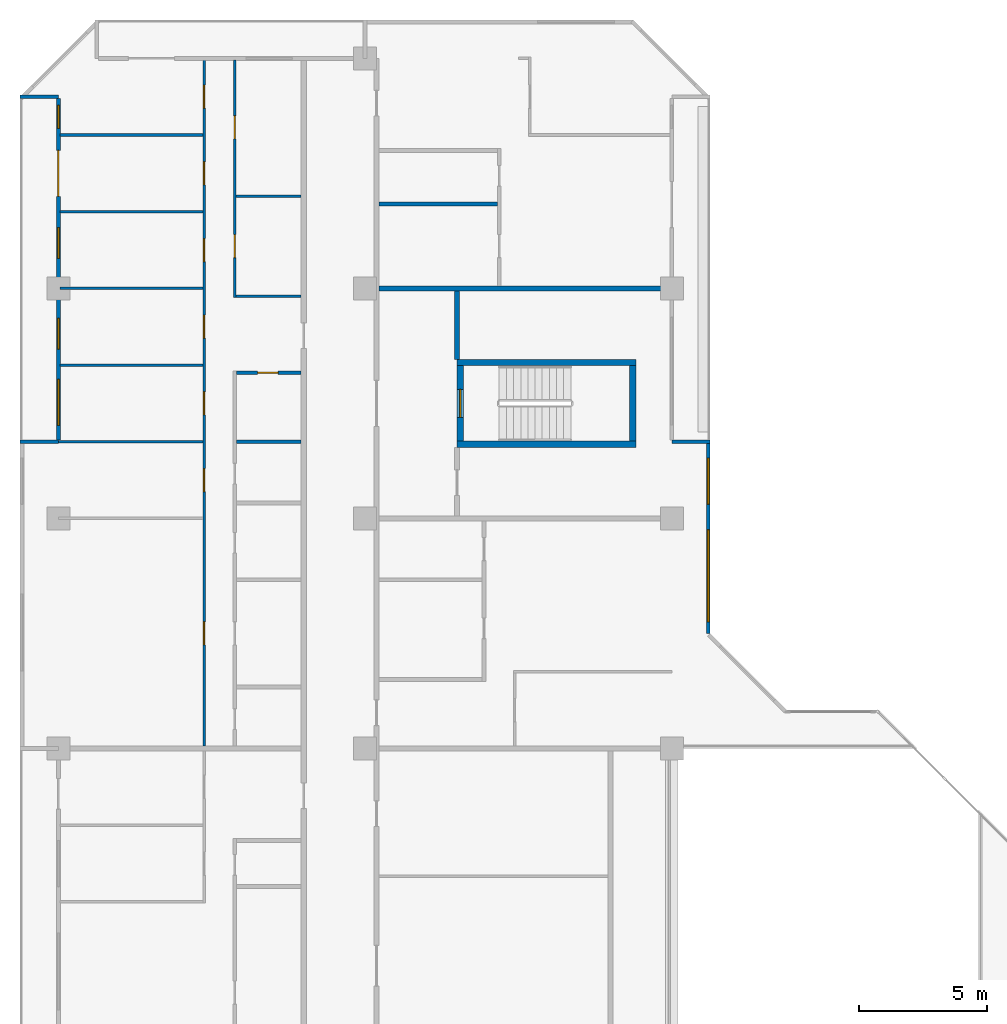
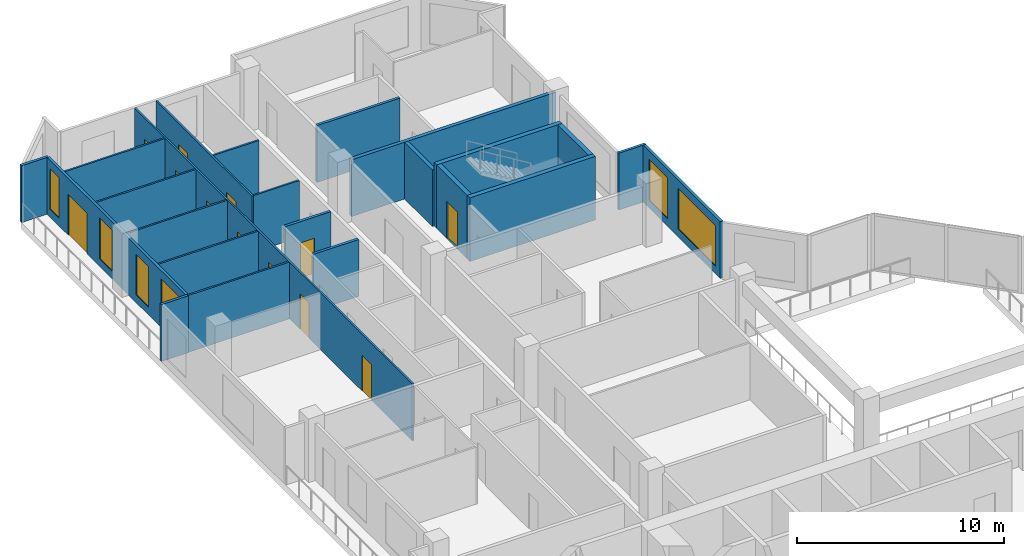
# One storey, part 10 of 15: 23 walls, 12 doors, 6 windows, 18 openings.
"""IFC4 building model written with IfcOpenShell, lengths in metres."""

from ifc_helpers import new_model, si_unit, direction, frame, frame_2d, origin, place, context, subcontext, project, spatial, rectangle, extrude, material, layer, layer_set, type_object, element, fill, save


model = new_model("IFC4")

# Units and contexts
model_context = context("Model", 3, precision=1e-05, world=origin(), true_north=direction((0.0, 1.0)))
body_context = subcontext(model_context, "Body", "Model", "MODEL_VIEW")
ifc_project = project(units=[si_unit("LENGTHUNIT", "METRE"), si_unit("AREAUNIT", "SQUARE_METRE"), si_unit("VOLUMEUNIT", "CUBIC_METRE"), si_unit("PLANEANGLEUNIT", "RADIAN"), si_unit("MASSUNIT", "GRAM", prefix="KILO")], contexts=[model_context])

# Site, building, storey
site_placement = place(None, origin())
site = spatial("IfcSite", under=ifc_project, at=site_placement, CompositionType="ELEMENT")
building_placement = place(site_placement, origin())
building = spatial("IfcBuilding", under=site, at=building_placement, Name="Chenar Terraces", CompositionType="ELEMENT")
storey_placement = place(building_placement, frame((0.0, 0.0, 191.14990234375)))
storey = spatial("IfcBuildingStorey", under=building, at=storey_placement, Name="L44", CompositionType="ELEMENT", Elevation=191.14990234375)

# Walls
ifc_material_1 = material(Name="Concrete C60/75", Category="concrete")
ifc_layer_1 = layer(ifc_material_1, 0.25)
ifc_layer_set_1 = layer_set([ifc_layer_1], Name="Concrete C60/75")
wall_type_1 = type_object("IfcWallType", Name="Core wall 250 Concrete C60/75", PredefinedType="SHEAR", material=ifc_layer_set_1)
for number, where, z_axis, x_axis, name in (
    (1, (15.60009765625, 47.89990234375, 0.0), (0.0, 0.0, 1.0), (1.0, 0.0, 0.0), "Core wall ST4_S L44"),
    (2, (15.60009765625, 51.10009765625, 0.0), (0.0, 0.0, 1.0), (1.0, 0.0, 0.0), "Core wall ST4_N L44"),
):
    element("IfcWall", number, at=place(storey_placement, frame(where, z_axis=z_axis, x_axis=x_axis)), inside=storey, type_object=wall_type_1, Name=name, PredefinedType="SHEAR", context=body_context, shape_type="SweptSolid", body=[
        extrude(rectangle(XDim=7.0, YDim=0.25, at=frame_2d((3.5, 0.0))), origin(), (0.0, 0.0, 1.0), 3.75),
    ])

# Wall, opening, door
wall_1_placement = place(storey_placement, frame((15.72509765625, 48.02490234375, 0.0), z_axis=(0.0, 0.0, 1.0), x_axis=(0.0, 1.0, 0.0)))
wall_1 = element("IfcWall", 3, at=wall_1_placement, inside=storey, type_object=wall_type_1, Name="Core wall ST4_W L44", PredefinedType="SHEAR", context=body_context, shape_type="SweptSolid", body=[
    extrude(rectangle(XDim=2.9501953125, YDim=0.25, at=frame_2d((1.47509765625, 0.0))), origin(), (0.0, 0.0, 1.0), 3.75),
])
opening_1_placement = place(wall_1_placement, frame((0.925048828125, 0.0, 0.0)))
opening_1 = element("IfcOpeningElement", 4, at=opening_1_placement, cuts=wall_1, Name="Opening DL44-C9", PredefinedType="OPENING", context=body_context, shape_type="SweptSolid", body=[
    extrude(rectangle(XDim=1.10009765625, YDim=2.199951171875, at=frame_2d((0.550048828125, 1.10009765625))), frame((0.0, 0.135009765625, 0.0), z_axis=(0.0, -1.0, 0.0), x_axis=(1.0, 0.0, 0.0)), (0.0, 0.0, 1.0), 0.27001953125),
])
ifc_material_2 = material(Name="Steel-framed fire-resisting door leaf", Category="steel")
door_type_1 = type_object("IfcDoorType", Name="Stair fire door FD60 1100 x 2200", OperationType="SINGLE_SWING_LEFT", PredefinedType="DOOR", material=ifc_material_2)
door_1_placement = place(opening_1_placement, frame((1.10009765625, 0.0, 0.0), z_axis=(0.0, 0.0, 1.0), x_axis=(-1.0, 0.0, 0.0)))
door_1 = element("IfcDoor", 5, at=door_1_placement, inside=storey, type_object=door_type_1, Name="Stair door DL44-C9", OperationType="SINGLE_SWING_RIGHT", OverallHeight=2.199951171875, OverallWidth=1.10009765625, PredefinedType="DOOR", context=body_context, shape_type="SweptSolid", body=[
    extrude(rectangle(XDim=1.10009765625, YDim=2.199951171875, at=frame_2d((0.550048828125, 1.10009765625))), frame((0.0, 0.02490234375, 0.0), z_axis=(0.0, -1.0, 0.0), x_axis=(1.0, 0.0, 0.0)), (0.0, 0.0, 1.0), 0.050048828125),
])
fill(opening_1, door_1)

# Walls
wall_2_placement = place(storey_placement, frame((22.47509765625, 48.02490234375, 0.0), z_axis=(0.0, 0.0, 1.0), x_axis=(0.0, 1.0, 0.0)))
element("IfcWall", 6, at=wall_2_placement, inside=storey, type_object=wall_type_1, Name="Core wall ST4_E L44", PredefinedType="SHEAR", context=body_context, shape_type="SweptSolid", body=[
    extrude(rectangle(XDim=2.9501953125, YDim=0.25, at=frame_2d((1.47509765625, 0.0))), origin(), (0.0, 0.0, 1.0), 3.75),
])
ifc_material_3 = material(Name="Gypsum board on steel studs with fire boards", Category="steel")
ifc_layer_2 = layer(ifc_material_3, 0.199951171875)
ifc_layer_set_2 = layer_set([ifc_layer_2], Name="Gypsum board on steel studs with fire boards")
wall_type_2 = type_object("IfcWallType", Name="Corridor wall 200", PredefinedType="PARTITIONING", material=ifc_layer_set_2)
wall_3_placement = place(storey_placement, frame((15.60009765625, 51.22509765625, 0.0), z_axis=(0.0, 0.0, 1.0), x_axis=(0.0, 1.0, 0.0)))
element("IfcWall", 7, at=wall_3_placement, inside=storey, type_object=wall_type_2, Name="Partition L44-045", PredefinedType="PARTITIONING", context=body_context, shape_type="SweptSolid", body=[
    extrude(rectangle(XDim=2.6748046875, YDim=0.199951171875, at=frame_2d((1.33740234375, 0.0))), origin(), (0.0, 0.0, 1.0), 3.35009765625),
])

# Wall, openings, windows
ifc_material_4 = material(Name="Aluminium framed glazing", Category="aluminium")
ifc_layer_3 = layer(ifc_material_4, 0.14990234375)
ifc_layer_set_3 = layer_set([ifc_layer_3], Name="Aluminium framed glazing")
wall_type_3 = type_object("IfcWallType", Name="Glazed flush facade wall 150", PredefinedType="SOLIDWALL", material=ifc_layer_set_3)
wall_4_placement = place(storey_placement, frame((25.425048828125, 40.5, 0.0), z_axis=(0.0, 0.0, 1.0), x_axis=(0.0, 1.0, 0.0)))
wall_4 = element("IfcWall", 8, at=wall_4_placement, inside=storey, type_object=wall_type_3, Name="Glazed flush facade wall", PredefinedType="SOLIDWALL", context=body_context, shape_type="SweptSolid", body=[
    extrude(rectangle(XDim=7.425048828125, YDim=0.14990234375, at=frame_2d((3.71240234375, 0.0))), origin(), (0.0, 0.0, 1.0), 3.35009765625),
])
opening_2_placement = place(wall_4_placement, frame((0.449951171875, 0.0, 0.449951171875)))
opening_2 = element("IfcOpeningElement", 9, at=opening_2_placement, cuts=wall_4, Name="Opening W360x240", PredefinedType="OPENING", context=body_context, shape_type="SweptSolid", body=[
    extrude(rectangle(XDim=3.60009765625, YDim=2.39990234375, at=frame_2d((1.800048828125, 1.199951171875))), frame((0.0, 0.0849609375, 0.0), z_axis=(0.0, -1.0, 0.0), x_axis=(1.0, 0.0, 0.0)), (0.0, 0.0, 1.0), 0.169921875),
])
opening_3_placement = place(wall_4_placement, frame((5.0625, 0.0, 0.449951171875)))
opening_3 = element("IfcOpeningElement", 10, at=opening_3_placement, cuts=wall_4, Name="Opening W180x240", PredefinedType="OPENING", context=body_context, shape_type="SweptSolid", body=[
    extrude(rectangle(XDim=1.800048828125, YDim=2.39990234375, at=frame_2d((0.89990234375, 1.199951171875))), frame((0.0, 0.0849609375, 0.0), z_axis=(0.0, -1.0, 0.0), x_axis=(1.0, 0.0, 0.0)), (0.0, 0.0, 1.0), 0.169921875),
])
ifc_material_5 = material(Name="Low emissivity double glazing, aluminium frame", Category="aluminium")
window_type_1 = type_object("IfcWindowType", Name="Fixed light 1800 x 2400", PartitioningType="SINGLE_PANEL", PredefinedType="WINDOW", material=ifc_material_5)
window_1_placement = place(opening_3_placement, origin())
window_1 = element("IfcWindow", 11, at=window_1_placement, inside=storey, type_object=window_type_1, Name="Window", OverallHeight=2.39990234375, OverallWidth=1.800048828125, PartitioningType="SINGLE_PANEL", PredefinedType="WINDOW", context=body_context, shape_type="SweptSolid", body=[
    extrude(rectangle(XDim=1.800048828125, YDim=2.39990234375, at=frame_2d((0.89990234375, 1.199951171875))), frame((0.0, 0.030029296875, 0.0), z_axis=(0.0, -1.0, 0.0), x_axis=(1.0, 0.0, 0.0)), (0.0, 0.0, 1.0), 0.06005859375),
])
fill(opening_3, window_1)
ifc_material_6 = material(Name="Low emissivity double glazing, aluminium frame", Category="aluminium")
window_type_2 = type_object("IfcWindowType", Name="Fixed light 3600 x 2400", PartitioningType="SINGLE_PANEL", PredefinedType="WINDOW", material=ifc_material_6)
window_2_placement = place(opening_2_placement, origin())
window_2 = element("IfcWindow", 12, at=window_2_placement, inside=storey, type_object=window_type_2, Name="Window", OverallHeight=2.39990234375, OverallWidth=3.60009765625, PartitioningType="SINGLE_PANEL", PredefinedType="WINDOW", context=body_context, shape_type="SweptSolid", body=[
    extrude(rectangle(XDim=3.60009765625, YDim=2.39990234375, at=frame_2d((1.800048828125, 1.199951171875))), frame((0.0, 0.030029296875, 0.0), z_axis=(0.0, -1.0, 0.0), x_axis=(1.0, 0.0, 0.0)), (0.0, 0.0, 1.0), 0.06005859375),
])
fill(opening_2, window_2)

# Wall, openings, windows, door
ifc_material_7 = material(Name="Aluminium framed glazing", Category="aluminium")
ifc_layer_4 = layer(ifc_material_7, 0.14990234375)
ifc_layer_set_4 = layer_set([ifc_layer_4], Name="Aluminium framed glazing")
wall_type_4 = type_object("IfcWallType", Name="Glazed loggia back wall 150", PredefinedType="SOLIDWALL", material=ifc_layer_set_4)
wall_5_placement = place(storey_placement, frame((0.0, 61.425048828125, 0.0), z_axis=(0.0, 0.0, 1.0), x_axis=(0.0, -1.0, 0.0)))
wall_5 = element("IfcWall", 13, at=wall_5_placement, inside=storey, type_object=wall_type_4, Name="Glazed loggia back wall", PredefinedType="SOLIDWALL", context=body_context, shape_type="SweptSolid", body=[
    extrude(rectangle(XDim=13.35009765625, YDim=0.14990234375, at=frame_2d((6.675048828125, 0.0))), origin(), (0.0, 0.0, 1.0), 3.35009765625),
])
opening_4_placement = place(wall_5_placement, frame((0.262451171875, 0.0, 0.449951171875)))
opening_4 = element("IfcOpeningElement", 14, at=opening_4_placement, cuts=wall_5, Name="Opening W90x240", PredefinedType="OPENING", context=body_context, shape_type="SweptSolid", body=[
    extrude(rectangle(XDim=0.89990234375, YDim=2.39990234375, at=frame_2d((0.449951171875, 1.199951171875))), frame((0.0, 0.0849609375, 0.0), z_axis=(0.0, -1.0, 0.0), x_axis=(1.0, 0.0, 0.0)), (0.0, 0.0, 1.0), 0.169921875),
])
opening_5_placement = place(wall_5_placement, frame((2.02490234375, 0.0, 0.0)))
opening_5 = element("IfcOpeningElement", 15, at=opening_5_placement, cuts=wall_5, Name="Opening DL44-G4", PredefinedType="OPENING", context=body_context, shape_type="SweptSolid", body=[
    extrude(rectangle(XDim=1.800048828125, YDim=2.39990234375, at=frame_2d((0.89990234375, 1.199951171875))), frame((0.0, 0.0849609375, 0.0), z_axis=(0.0, -1.0, 0.0), x_axis=(1.0, 0.0, 0.0)), (0.0, 0.0, 1.0), 0.169921875),
])
opening_6_placement = place(wall_5_placement, frame((5.050048828125, 0.0, 0.449951171875)))
opening_6 = element("IfcOpeningElement", 16, at=opening_6_placement, cuts=wall_5, Name="Opening W120x240", PredefinedType="OPENING", context=body_context, shape_type="SweptSolid", body=[
    extrude(rectangle(XDim=1.199951171875, YDim=2.39990234375, at=frame_2d((0.60009765625, 1.199951171875))), frame((0.0, 0.0849609375, 0.0), z_axis=(0.0, -1.0, 0.0), x_axis=(1.0, 0.0, 0.0)), (0.0, 0.0, 1.0), 0.169921875),
])
opening_7_placement = place(wall_5_placement, frame((8.60009765625, 0.0, 0.449951171875)))
opening_7 = element("IfcOpeningElement", 17, at=opening_7_placement, cuts=wall_5, Name="Opening W120x240", PredefinedType="OPENING", context=body_context, shape_type="SweptSolid", body=[
    extrude(rectangle(XDim=1.199951171875, YDim=2.39990234375, at=frame_2d((0.60009765625, 1.199951171875))), frame((0.0, 0.0849609375, 0.0), z_axis=(0.0, -1.0, 0.0), x_axis=(1.0, 0.0, 0.0)), (0.0, 0.0, 1.0), 0.169921875),
])
opening_8_placement = place(wall_5_placement, frame((10.987548828125, 0.0, 0.449951171875)))
opening_8 = element("IfcOpeningElement", 18, at=opening_8_placement, cuts=wall_5, Name="Opening W180x240", PredefinedType="OPENING", context=body_context, shape_type="SweptSolid", body=[
    extrude(rectangle(XDim=1.800048828125, YDim=2.39990234375, at=frame_2d((0.89990234375, 1.199951171875))), frame((0.0, 0.0849609375, 0.0), z_axis=(0.0, -1.0, 0.0), x_axis=(1.0, 0.0, 0.0)), (0.0, 0.0, 1.0), 0.169921875),
])
ifc_material_8 = material(Name="Low emissivity double glazing, aluminium frame", Category="aluminium")
window_type_3 = type_object("IfcWindowType", Name="Fixed light 1200 x 2400", PartitioningType="SINGLE_PANEL", PredefinedType="WINDOW", material=ifc_material_8)
window_3_placement = place(opening_6_placement, origin())
window_3 = element("IfcWindow", 19, at=window_3_placement, inside=storey, type_object=window_type_3, Name="Window", OverallHeight=2.39990234375, OverallWidth=1.199951171875, PartitioningType="SINGLE_PANEL", PredefinedType="WINDOW", context=body_context, shape_type="SweptSolid", body=[
    extrude(rectangle(XDim=1.199951171875, YDim=2.39990234375, at=frame_2d((0.60009765625, 1.199951171875))), frame((0.0, 0.030029296875, 0.0), z_axis=(0.0, -1.0, 0.0), x_axis=(1.0, 0.0, 0.0)), (0.0, 0.0, 1.0), 0.06005859375),
])
fill(opening_6, window_3)
window_4_placement = place(opening_7_placement, origin())
window_4 = element("IfcWindow", 20, at=window_4_placement, inside=storey, type_object=window_type_3, Name="Window", OverallHeight=2.39990234375, OverallWidth=1.199951171875, PartitioningType="SINGLE_PANEL", PredefinedType="WINDOW", context=body_context, shape_type="SweptSolid", body=[
    extrude(rectangle(XDim=1.199951171875, YDim=2.39990234375, at=frame_2d((0.60009765625, 1.199951171875))), frame((0.0, 0.030029296875, 0.0), z_axis=(0.0, -1.0, 0.0), x_axis=(1.0, 0.0, 0.0)), (0.0, 0.0, 1.0), 0.06005859375),
])
fill(opening_7, window_4)
window_5_placement = place(opening_8_placement, origin())
window_5 = element("IfcWindow", 21, at=window_5_placement, inside=storey, type_object=window_type_1, Name="Window", OverallHeight=2.39990234375, OverallWidth=1.800048828125, PartitioningType="SINGLE_PANEL", PredefinedType="WINDOW", context=body_context, shape_type="SweptSolid", body=[
    extrude(rectangle(XDim=1.800048828125, YDim=2.39990234375, at=frame_2d((0.89990234375, 1.199951171875))), frame((0.0, 0.030029296875, 0.0), z_axis=(0.0, -1.0, 0.0), x_axis=(1.0, 0.0, 0.0)), (0.0, 0.0, 1.0), 0.06005859375),
])
fill(opening_8, window_5)
ifc_material_9 = material(Name="Low emissivity double glazing, aluminium frame", Category="aluminium")
window_type_4 = type_object("IfcWindowType", Name="Fixed light 900 x 2400", PartitioningType="SINGLE_PANEL", PredefinedType="WINDOW", material=ifc_material_9)
window_6_placement = place(opening_4_placement, origin())
window_6 = element("IfcWindow", 22, at=window_6_placement, inside=storey, type_object=window_type_4, Name="Window", OverallHeight=2.39990234375, OverallWidth=0.89990234375, PartitioningType="SINGLE_PANEL", PredefinedType="WINDOW", context=body_context, shape_type="SweptSolid", body=[
    extrude(rectangle(XDim=0.89990234375, YDim=2.39990234375, at=frame_2d((0.449951171875, 1.199951171875))), frame((0.0, 0.030029296875, 0.0), z_axis=(0.0, -1.0, 0.0), x_axis=(1.0, 0.0, 0.0)), (0.0, 0.0, 1.0), 0.06005859375),
])
fill(opening_4, window_6)
ifc_material_10 = material(Name="Low emissivity double glazing, aluminium frame", Category="aluminium")
door_type_2 = type_object("IfcDoorType", Name="Loggia glazed double door 1800 x 2400", OperationType="DOUBLE_DOOR_SINGLE_SWING", PredefinedType="DOOR", material=ifc_material_10)
door_2_placement = place(opening_5_placement, frame((1.800048828125, 0.0, 0.0), z_axis=(0.0, 0.0, 1.0), x_axis=(-1.0, 0.0, 0.0)))
door_2 = element("IfcDoor", 23, at=door_2_placement, inside=storey, type_object=door_type_2, Name="Loggia glazed door", OperationType="DOUBLE_DOOR_SINGLE_SWING", OverallHeight=2.39990234375, OverallWidth=1.800048828125, PredefinedType="DOOR", context=body_context, shape_type="SweptSolid", body=[
    extrude(rectangle(XDim=1.800048828125, YDim=2.39990234375, at=frame_2d((0.89990234375, 1.199951171875))), frame((0.0, 0.02490234375, 0.0), z_axis=(0.0, -1.0, 0.0), x_axis=(1.0, 0.0, 0.0)), (0.0, 0.0, 1.0), 0.050048828125),
])
fill(opening_5, door_2)

# Walls
ifc_material_11 = material(Name="Gypsum board on steel studs", Category="steel")
ifc_layer_5 = layer(ifc_material_11, 0.10009765625)
ifc_layer_set_5 = layer_set([ifc_layer_5], Name="Gypsum board on steel studs")
wall_type_5 = type_object("IfcWallType", Name="Gypsum partition 100", PredefinedType="PARTITIONING", material=ifc_layer_set_5)
wall_6_placement = place(storey_placement, frame((0.0, 48.0, 0.0), z_axis=(0.0, 0.0, 1.0), x_axis=(1.0, 0.0, 0.0)))
element("IfcWall", 24, at=wall_6_placement, inside=storey, type_object=wall_type_5, Name="Partition L44-005", PredefinedType="PARTITIONING", context=body_context, shape_type="SweptSolid", body=[
    extrude(rectangle(XDim=5.64990234375, YDim=0.10009765625, at=frame_2d((2.824951171875, 0.0))), origin(), (0.0, 0.0, 1.0), 3.35009765625),
])
for number, where, z_axis, x_axis, name in (
    (25, (0.073974609375, 51.0, 0.0), (0.0, 0.0, 1.0), (1.0, 0.0, 0.0), "Partition L44-008"),
    (26, (0.073974609375, 54.0, 0.0), (0.0, 0.0, 1.0), (1.0, 0.0, 0.0), "Partition L44-009"),
    (27, (0.073974609375, 57.0, 0.0), (0.0, 0.0, 1.0), (1.0, 0.0, 0.0), "Partition L44-010"),
    (28, (0.073974609375, 60.0, 0.0), (0.0, 0.0, 1.0), (1.0, 0.0, 0.0), "Partition L44-011"),
):
    element("IfcWall", number, at=place(storey_placement, frame(where, z_axis=z_axis, x_axis=x_axis)), inside=storey, type_object=wall_type_5, Name=name, PredefinedType="PARTITIONING", context=body_context, shape_type="SweptSolid", body=[
        extrude(rectangle(XDim=5.575927734375, YDim=0.10009765625, at=frame_2d((2.7880859375, 0.0))), origin(), (0.0, 0.0, 1.0), 3.35009765625),
    ])

# Wall, openings, doors
wall_7_placement = place(storey_placement, frame((5.699951171875, 36.10009765625, 0.0), z_axis=(0.0, 0.0, 1.0), x_axis=(0.0, 1.0, 0.0)))
wall_7 = element("IfcWall", 29, at=wall_7_placement, inside=storey, type_object=wall_type_5, Name="Partition L44-014", PredefinedType="PARTITIONING", context=body_context, shape_type="SweptSolid", body=[
    extrude(rectangle(XDim=26.825927734375, YDim=0.10009765625, at=frame_2d((13.4130859375, 0.0))), origin(), (0.0, 0.0, 1.0), 3.35009765625),
])
opening_9_placement = place(wall_7_placement, frame((9.949951171875, 0.0, 0.0)))
opening_9 = element("IfcOpeningElement", 30, at=opening_9_placement, cuts=wall_7, Name="Opening DL44-24", PredefinedType="OPENING", context=body_context, shape_type="SweptSolid", body=[
    extrude(rectangle(XDim=0.89990234375, YDim=2.10009765625, at=frame_2d((0.449951171875, 1.050048828125))), frame((0.0, 0.06005859375, 0.0), z_axis=(0.0, -1.0, 0.0), x_axis=(1.0, 0.0, 0.0)), (0.0, 0.0, 1.0), 0.1201171875),
])
opening_10_placement = place(wall_7_placement, frame((12.949951171875, 0.0, 0.0)))
opening_10 = element("IfcOpeningElement", 31, at=opening_10_placement, cuts=wall_7, Name="Opening DL44-25", PredefinedType="OPENING", context=body_context, shape_type="SweptSolid", body=[
    extrude(rectangle(XDim=0.89990234375, YDim=2.10009765625, at=frame_2d((0.449951171875, 1.050048828125))), frame((0.0, 0.06005859375, 0.0), z_axis=(0.0, -1.0, 0.0), x_axis=(1.0, 0.0, 0.0)), (0.0, 0.0, 1.0), 0.1201171875),
])
opening_11_placement = place(wall_7_placement, frame((15.949951171875, 0.0, 0.0)))
opening_11 = element("IfcOpeningElement", 32, at=opening_11_placement, cuts=wall_7, Name="Opening DL44-26", PredefinedType="OPENING", context=body_context, shape_type="SweptSolid", body=[
    extrude(rectangle(XDim=0.89990234375, YDim=2.10009765625, at=frame_2d((0.449951171875, 1.050048828125))), frame((0.0, 0.06005859375, 0.0), z_axis=(0.0, -1.0, 0.0), x_axis=(1.0, 0.0, 0.0)), (0.0, 0.0, 1.0), 0.1201171875),
])
opening_12_placement = place(wall_7_placement, frame((18.949951171875, 0.0, 0.0)))
opening_12 = element("IfcOpeningElement", 33, at=opening_12_placement, cuts=wall_7, Name="Opening DL44-27", PredefinedType="OPENING", context=body_context, shape_type="SweptSolid", body=[
    extrude(rectangle(XDim=0.89990234375, YDim=2.10009765625, at=frame_2d((0.449951171875, 1.050048828125))), frame((0.0, 0.06005859375, 0.0), z_axis=(0.0, -1.0, 0.0), x_axis=(1.0, 0.0, 0.0)), (0.0, 0.0, 1.0), 0.1201171875),
])
opening_13_placement = place(wall_7_placement, frame((24.949951171875, 0.0, 0.0)))
opening_13 = element("IfcOpeningElement", 34, at=opening_13_placement, cuts=wall_7, Name="Opening DL44-28", PredefinedType="OPENING", context=body_context, shape_type="SweptSolid", body=[
    extrude(rectangle(XDim=0.89990234375, YDim=2.10009765625, at=frame_2d((0.449951171875, 1.050048828125))), frame((0.0, 0.06005859375, 0.0), z_axis=(0.0, -1.0, 0.0), x_axis=(1.0, 0.0, 0.0)), (0.0, 0.0, 1.0), 0.1201171875),
])
opening_14_placement = place(wall_7_placement, frame((3.949951171875, 0.0, 0.0)))
opening_14 = element("IfcOpeningElement", 35, at=opening_14_placement, cuts=wall_7, Name="Opening DL44-34", PredefinedType="OPENING", context=body_context, shape_type="SweptSolid", body=[
    extrude(rectangle(XDim=0.89990234375, YDim=2.10009765625, at=frame_2d((0.449951171875, 1.050048828125))), frame((0.0, 0.06005859375, 0.0), z_axis=(0.0, -1.0, 0.0), x_axis=(1.0, 0.0, 0.0)), (0.0, 0.0, 1.0), 0.1201171875),
])
opening_15_placement = place(wall_7_placement, frame((21.949951171875, 0.0, 0.0)))
opening_15 = element("IfcOpeningElement", 36, at=opening_15_placement, cuts=wall_7, Name="Opening DL44-36", PredefinedType="OPENING", context=body_context, shape_type="SweptSolid", body=[
    extrude(rectangle(XDim=0.89990234375, YDim=2.10009765625, at=frame_2d((0.449951171875, 1.050048828125))), frame((0.0, 0.06005859375, 0.0), z_axis=(0.0, -1.0, 0.0), x_axis=(1.0, 0.0, 0.0)), (0.0, 0.0, 1.0), 0.1201171875),
])
ifc_material_12 = material(Name="Veneered timber door leaf", Category="wood")
door_type_3 = type_object("IfcDoorType", Name="Door 900 x 2100", OperationType="SINGLE_SWING_LEFT", PredefinedType="DOOR", material=ifc_material_12)
door_3_placement = place(opening_9_placement, origin())
door_3 = element("IfcDoor", 37, at=door_3_placement, inside=storey, type_object=door_type_3, Name="Door DL44-24", OperationType="SINGLE_SWING_RIGHT", OverallHeight=2.10009765625, OverallWidth=0.89990234375, PredefinedType="DOOR", context=body_context, shape_type="SweptSolid", body=[
    extrude(rectangle(XDim=0.89990234375, YDim=2.10009765625, at=frame_2d((0.449951171875, 1.050048828125))), frame((0.0, 0.02490234375, 0.0), z_axis=(0.0, -1.0, 0.0), x_axis=(1.0, 0.0, 0.0)), (0.0, 0.0, 1.0), 0.050048828125),
])
fill(opening_9, door_3)
door_4_placement = place(opening_10_placement, origin())
door_4 = element("IfcDoor", 38, at=door_4_placement, inside=storey, type_object=door_type_3, Name="Door DL44-25", OperationType="SINGLE_SWING_RIGHT", OverallHeight=2.10009765625, OverallWidth=0.89990234375, PredefinedType="DOOR", context=body_context, shape_type="SweptSolid", body=[
    extrude(rectangle(XDim=0.89990234375, YDim=2.10009765625, at=frame_2d((0.449951171875, 1.050048828125))), frame((0.0, 0.02490234375, 0.0), z_axis=(0.0, -1.0, 0.0), x_axis=(1.0, 0.0, 0.0)), (0.0, 0.0, 1.0), 0.050048828125),
])
fill(opening_10, door_4)
door_5_placement = place(opening_11_placement, origin())
door_5 = element("IfcDoor", 39, at=door_5_placement, inside=storey, type_object=door_type_3, Name="Door DL44-26", OperationType="SINGLE_SWING_RIGHT", OverallHeight=2.10009765625, OverallWidth=0.89990234375, PredefinedType="DOOR", context=body_context, shape_type="SweptSolid", body=[
    extrude(rectangle(XDim=0.89990234375, YDim=2.10009765625, at=frame_2d((0.449951171875, 1.050048828125))), frame((0.0, 0.02490234375, 0.0), z_axis=(0.0, -1.0, 0.0), x_axis=(1.0, 0.0, 0.0)), (0.0, 0.0, 1.0), 0.050048828125),
])
fill(opening_11, door_5)
door_6_placement = place(opening_12_placement, origin())
door_6 = element("IfcDoor", 40, at=door_6_placement, inside=storey, type_object=door_type_3, Name="Door DL44-27", OperationType="SINGLE_SWING_RIGHT", OverallHeight=2.10009765625, OverallWidth=0.89990234375, PredefinedType="DOOR", context=body_context, shape_type="SweptSolid", body=[
    extrude(rectangle(XDim=0.89990234375, YDim=2.10009765625, at=frame_2d((0.449951171875, 1.050048828125))), frame((0.0, 0.02490234375, 0.0), z_axis=(0.0, -1.0, 0.0), x_axis=(1.0, 0.0, 0.0)), (0.0, 0.0, 1.0), 0.050048828125),
])
fill(opening_12, door_6)
door_7_placement = place(opening_13_placement, origin())
door_7 = element("IfcDoor", 41, at=door_7_placement, inside=storey, type_object=door_type_3, Name="Door DL44-28", OperationType="SINGLE_SWING_RIGHT", OverallHeight=2.10009765625, OverallWidth=0.89990234375, PredefinedType="DOOR", context=body_context, shape_type="SweptSolid", body=[
    extrude(rectangle(XDim=0.89990234375, YDim=2.10009765625, at=frame_2d((0.449951171875, 1.050048828125))), frame((0.0, 0.02490234375, 0.0), z_axis=(0.0, -1.0, 0.0), x_axis=(1.0, 0.0, 0.0)), (0.0, 0.0, 1.0), 0.050048828125),
])
fill(opening_13, door_7)
door_8_placement = place(opening_14_placement, frame((0.89990234375, 0.0, 0.0), z_axis=(0.0, 0.0, 1.0), x_axis=(-1.0, 0.0, 0.0)))
door_8 = element("IfcDoor", 42, at=door_8_placement, inside=storey, type_object=door_type_3, Name="Door DL44-34", OperationType="SINGLE_SWING_LEFT", OverallHeight=2.10009765625, OverallWidth=0.89990234375, PredefinedType="DOOR", context=body_context, shape_type="SweptSolid", body=[
    extrude(rectangle(XDim=0.89990234375, YDim=2.10009765625, at=frame_2d((0.449951171875, 1.050048828125))), frame((0.0, 0.02490234375, 0.0), z_axis=(0.0, -1.0, 0.0), x_axis=(1.0, 0.0, 0.0)), (0.0, 0.0, 1.0), 0.050048828125),
])
fill(opening_14, door_8)
door_9_placement = place(opening_15_placement, origin())
door_9 = element("IfcDoor", 43, at=door_9_placement, inside=storey, type_object=door_type_3, Name="Door DL44-36", OperationType="SINGLE_SWING_RIGHT", OverallHeight=2.10009765625, OverallWidth=0.89990234375, PredefinedType="DOOR", context=body_context, shape_type="SweptSolid", body=[
    extrude(rectangle(XDim=0.89990234375, YDim=2.10009765625, at=frame_2d((0.449951171875, 1.050048828125))), frame((0.0, 0.02490234375, 0.0), z_axis=(0.0, -1.0, 0.0), x_axis=(1.0, 0.0, 0.0)), (0.0, 0.0, 1.0), 0.050048828125),
])
fill(opening_15, door_9)

wall_8_placement = place(storey_placement, frame((6.89990234375, 53.64990234375, 0.0), z_axis=(0.0, 0.0, 1.0), x_axis=(0.0, 1.0, 0.0)))
wall_8 = element("IfcWall", 44, at=wall_8_placement, inside=storey, type_object=wall_type_5, Name="Partition L44-017", PredefinedType="PARTITIONING", context=body_context, shape_type="SweptSolid", body=[
    extrude(rectangle(XDim=9.276123046875, YDim=0.10009765625, at=frame_2d((4.63818359375, 0.0))), origin(), (0.0, 0.0, 1.0), 3.35009765625),
])
opening_16_placement = place(wall_8_placement, frame((1.550048828125, 0.0, 0.0)))
opening_16 = element("IfcOpeningElement", 45, at=opening_16_placement, cuts=wall_8, Name="Opening DL44-29", PredefinedType="OPENING", context=body_context, shape_type="SweptSolid", body=[
    extrude(rectangle(XDim=0.89990234375, YDim=2.10009765625, at=frame_2d((0.449951171875, 1.050048828125))), frame((0.0, 0.06005859375, 0.0), z_axis=(0.0, -1.0, 0.0), x_axis=(1.0, 0.0, 0.0)), (0.0, 0.0, 1.0), 0.1201171875),
])
opening_17_placement = place(wall_8_placement, frame((6.199951171875, 0.0, 0.0)))
opening_17 = element("IfcOpeningElement", 46, at=opening_17_placement, cuts=wall_8, Name="Opening DL44-31", PredefinedType="OPENING", context=body_context, shape_type="SweptSolid", body=[
    extrude(rectangle(XDim=0.89990234375, YDim=2.10009765625, at=frame_2d((0.449951171875, 1.050048828125))), frame((0.0, 0.06005859375, 0.0), z_axis=(0.0, -1.0, 0.0), x_axis=(1.0, 0.0, 0.0)), (0.0, 0.0, 1.0), 0.1201171875),
])
door_10_placement = place(opening_16_placement, frame((0.89990234375, 0.0, 0.0), z_axis=(0.0, 0.0, 1.0), x_axis=(-1.0, 0.0, 0.0)))
door_10 = element("IfcDoor", 47, at=door_10_placement, inside=storey, type_object=door_type_3, Name="Door DL44-29", OperationType="SINGLE_SWING_LEFT", OverallHeight=2.10009765625, OverallWidth=0.89990234375, PredefinedType="DOOR", context=body_context, shape_type="SweptSolid", body=[
    extrude(rectangle(XDim=0.89990234375, YDim=2.10009765625, at=frame_2d((0.449951171875, 1.050048828125))), frame((0.0, 0.02490234375, 0.0), z_axis=(0.0, -1.0, 0.0), x_axis=(1.0, 0.0, 0.0)), (0.0, 0.0, 1.0), 0.050048828125),
])
fill(opening_16, door_10)
door_11_placement = place(opening_17_placement, frame((0.89990234375, 0.0, 0.0), z_axis=(0.0, 0.0, 1.0), x_axis=(-1.0, 0.0, 0.0)))
door_11 = element("IfcDoor", 48, at=door_11_placement, inside=storey, type_object=door_type_3, Name="Door DL44-31", OperationType="SINGLE_SWING_LEFT", OverallHeight=2.10009765625, OverallWidth=0.89990234375, PredefinedType="DOOR", context=body_context, shape_type="SweptSolid", body=[
    extrude(rectangle(XDim=0.89990234375, YDim=2.10009765625, at=frame_2d((0.449951171875, 1.050048828125))), frame((0.0, 0.02490234375, 0.0), z_axis=(0.0, -1.0, 0.0), x_axis=(1.0, 0.0, 0.0)), (0.0, 0.0, 1.0), 0.050048828125),
])
fill(opening_17, door_11)

# Walls
for number, where, z_axis, x_axis, name in (
    (49, (6.949951171875, 53.699951171875, 0.0), (0.0, 0.0, 1.0), (1.0, 0.0, 0.0), "Partition L44-018"),
    (50, (6.949951171875, 57.60009765625, 0.0), (0.0, 0.0, 1.0), (1.0, 0.0, 0.0), "Partition L44-019"),
):
    element("IfcWall", number, at=place(storey_placement, frame(where, z_axis=z_axis, x_axis=x_axis)), inside=storey, type_object=wall_type_5, Name=name, PredefinedType="PARTITIONING", context=body_context, shape_type="SweptSolid", body=[
        extrude(rectangle(XDim=2.550048828125, YDim=0.10009765625, at=frame_2d((1.27490234375, 0.0))), origin(), (0.0, 0.0, 1.0), 3.35009765625),
    ])
ifc_material_13 = material(Name="Terracotta cladding on insulated backing", Category="masonry")
ifc_layer_6 = layer(ifc_material_13, 0.14990234375)
ifc_layer_set_6 = layer_set([ifc_layer_6], Name="Terracotta cladding on insulated backing")
wall_type_6 = type_object("IfcWallType", Name="Loggia return wall 150", PredefinedType="SOLIDWALL", material=ifc_layer_set_6)
for number, where, z_axis, x_axis, name in (
    (51, (25.5, 48.0, 0.0), (0.0, 0.0, 1.0), (-1.0, 0.0, 0.0), "Loggia return wall"),
    (52, (-1.5, 61.5, 0.0), (0.0, 0.0, 1.0), (1.0, 0.0, 0.0), "Loggia return wall"),
    (53, (-1.5, 48.0, 0.0), (0.0, 0.0, 1.0), (1.0, 0.0, 0.0), "Loggia return wall"),
):
    element("IfcWall", number, at=place(storey_placement, frame(where, z_axis=z_axis, x_axis=x_axis)), inside=storey, type_object=wall_type_6, Name=name, PredefinedType="SOLIDWALL", context=body_context, shape_type="SweptSolid", body=[
        extrude(rectangle(XDim=1.5, YDim=0.14990234375, at=frame_2d((0.75, 0.0))), origin(), (0.0, 0.0, 1.0), 3.35009765625),
    ])
ifc_material_14 = material(Name="Twin gypsum board on steel studs with mineral wool", Category="steel")
ifc_layer_7 = layer(ifc_material_14, 0.199951171875)
ifc_layer_set_7 = layer_set([ifc_layer_7], Name="Twin gypsum board on steel studs with mineral wool")
wall_type_7 = type_object("IfcWallType", Name="Unit demising wall 200", PredefinedType="PARTITIONING", material=ifc_layer_set_7)
wall_9_placement = place(storey_placement, frame((12.550048828125, 54.0, 0.0), z_axis=(0.0, 0.0, 1.0), x_axis=(1.0, 0.0, 0.0)))
element("IfcWall", 54, at=wall_9_placement, inside=storey, type_object=wall_type_7, Name="Partition L44-040", PredefinedType="PARTITIONING", context=body_context, shape_type="SweptSolid", body=[
    extrude(rectangle(XDim=11.3759765625, YDim=0.199951171875, at=frame_2d((5.68798828125, 0.0))), origin(), (0.0, 0.0, 1.0), 3.35009765625),
])
ifc_material_15 = material(Name="Moisture-resistant gypsum board on steel studs", Category="steel")
ifc_layer_8 = layer(ifc_material_15, 0.14990234375)
ifc_layer_set_8 = layer_set([ifc_layer_8], Name="Moisture-resistant gypsum board on steel studs")
wall_type_8 = type_object("IfcWallType", Name="Wet-room partition 150", PredefinedType="PARTITIONING", material=ifc_layer_set_8)
wall_10_placement = place(storey_placement, frame((6.97509765625, 48.0, 0.0), z_axis=(0.0, 0.0, 1.0), x_axis=(1.0, 0.0, 0.0)))
element("IfcWall", 55, at=wall_10_placement, inside=storey, type_object=wall_type_8, Name="Partition L44-025", PredefinedType="PARTITIONING", context=body_context, shape_type="SweptSolid", body=[
    extrude(rectangle(XDim=2.52490234375, YDim=0.14990234375, at=frame_2d((1.262451171875, 0.0))), origin(), (0.0, 0.0, 1.0), 3.35009765625),
])

# Wall, opening, door
wall_11_placement = place(storey_placement, frame((6.97509765625, 50.699951171875, 0.0), z_axis=(0.0, 0.0, 1.0), x_axis=(1.0, 0.0, 0.0)))
wall_11 = element("IfcWall", 56, at=wall_11_placement, inside=storey, type_object=wall_type_8, Name="Partition L44-026", PredefinedType="PARTITIONING", context=body_context, shape_type="SweptSolid", body=[
    extrude(rectangle(XDim=2.52490234375, YDim=0.14990234375, at=frame_2d((1.262451171875, 0.0))), origin(), (0.0, 0.0, 1.0), 3.35009765625),
])
opening_18_placement = place(wall_11_placement, frame((0.824951171875, 0.0, 0.0)))
opening_18 = element("IfcOpeningElement", 57, at=opening_18_placement, cuts=wall_11, Name="Opening DL44-37", PredefinedType="OPENING", context=body_context, shape_type="SweptSolid", body=[
    extrude(rectangle(XDim=0.800048828125, YDim=2.10009765625, at=frame_2d((0.39990234375, 1.050048828125))), frame((0.0, 0.0849609375, 0.0), z_axis=(0.0, -1.0, 0.0), x_axis=(1.0, 0.0, 0.0)), (0.0, 0.0, 1.0), 0.169921875),
])
ifc_material_16 = material(Name="Veneered timber door leaf", Category="wood")
door_type_4 = type_object("IfcDoorType", Name="Door 800 x 2100", OperationType="SINGLE_SWING_LEFT", PredefinedType="DOOR", material=ifc_material_16)
door_12_placement = place(opening_18_placement, frame((0.800048828125, 0.0, 0.0), z_axis=(0.0, 0.0, 1.0), x_axis=(-1.0, 0.0, 0.0)))
door_12 = element("IfcDoor", 58, at=door_12_placement, inside=storey, type_object=door_type_4, Name="Door DL44-37", OperationType="SINGLE_SWING_RIGHT", OverallHeight=2.10009765625, OverallWidth=0.800048828125, PredefinedType="DOOR", context=body_context, shape_type="SweptSolid", body=[
    extrude(rectangle(XDim=0.800048828125, YDim=2.10009765625, at=frame_2d((0.39990234375, 1.050048828125))), frame((0.0, 0.02490234375, 0.0), z_axis=(0.0, -1.0, 0.0), x_axis=(1.0, 0.0, 0.0)), (0.0, 0.0, 1.0), 0.050048828125),
])
fill(opening_18, door_12)

# Wall
wall_12_placement = place(storey_placement, frame((12.550048828125, 57.300048828125, 0.0), z_axis=(0.0, 0.0, 1.0), x_axis=(1.0, 0.0, 0.0)))
element("IfcWall", 59, at=wall_12_placement, inside=storey, type_object=wall_type_8, Name="Partition L44-041", PredefinedType="PARTITIONING", context=body_context, shape_type="SweptSolid", body=[
    extrude(rectangle(XDim=4.625, YDim=0.14990234375, at=frame_2d((2.3125, 0.0))), origin(), (0.0, 0.0, 1.0), 3.35009765625),
])

save(model, "model.ifc")
